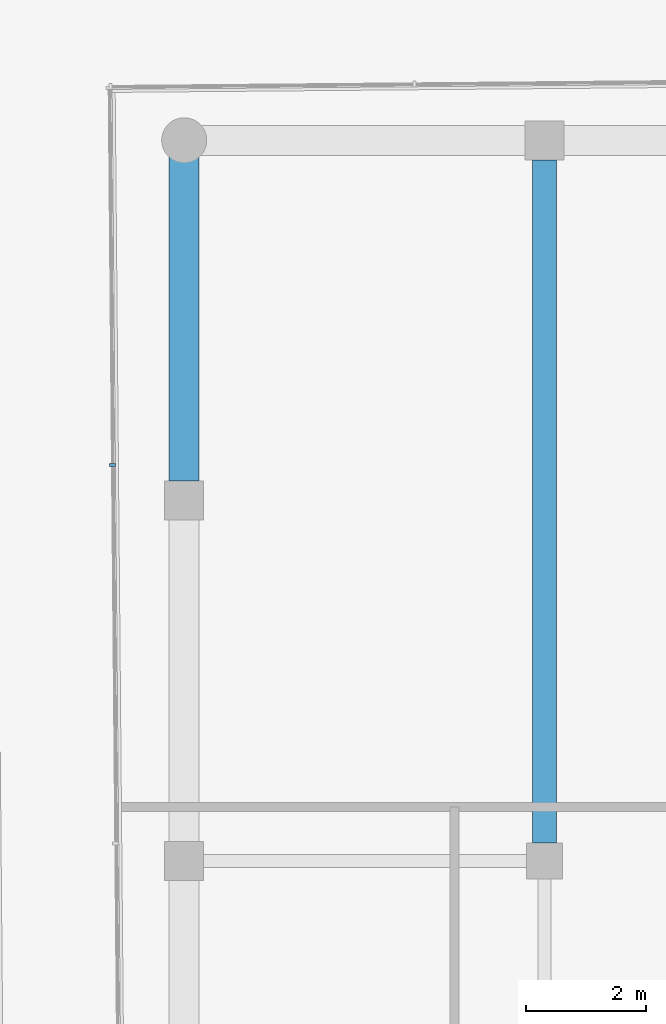
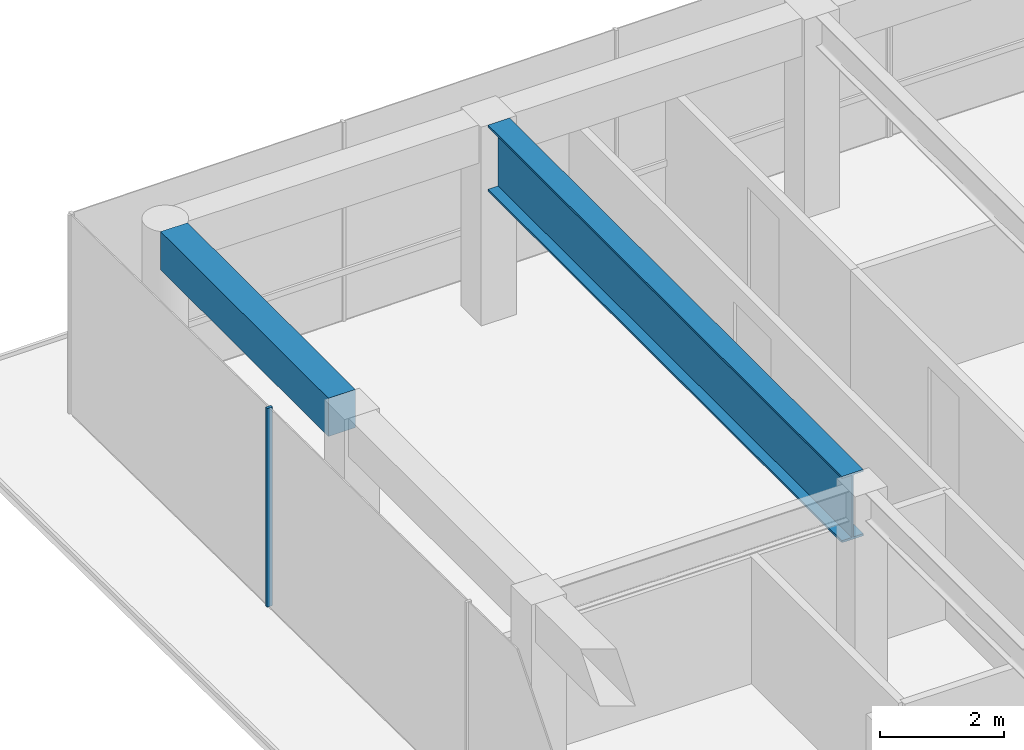
# One storey, part 10 of 21: 2 beams, 1 member, 1 element without a shape of its own.
"""IFC4 building model written with IfcOpenShell, lengths in metres."""

from ifc_helpers import new_model, si_unit, direction, frame, origin, origin_2d, place, context, subcontext, project, spatial, rectangle, i_section, extrude, material, layer, layer_set, material_profile, profile_set, type_object, element, aggregate, save


model = new_model("IFC4")

# Units and contexts
model_context = context("Model", 3, precision=1e-05, world=origin(), true_north=direction((0.0, 1.0)))
body_context = subcontext(model_context, "Body", "Model", "MODEL_VIEW")
ifc_project = project(units=[si_unit("LENGTHUNIT", "METRE"), si_unit("AREAUNIT", "SQUARE_METRE"), si_unit("VOLUMEUNIT", "CUBIC_METRE"), si_unit("PLANEANGLEUNIT", "RADIAN"), si_unit("MASSUNIT", "GRAM", prefix="KILO")], contexts=[model_context])

# Site, building, storey
site_placement = place(None, origin())
site = spatial("IfcSite", under=ifc_project, at=site_placement, CompositionType="ELEMENT")
building_placement = place(site_placement, origin())
building = spatial("IfcBuilding", under=site, at=building_placement, Name="Welwitschia Terrace Campus", CompositionType="ELEMENT")
storey_placement = place(building_placement, frame((0.0, 0.0, 331.39990234375)))
storey = spatial("IfcBuildingStorey", under=building, at=storey_placement, Name="L74", CompositionType="ELEMENT", Elevation=331.39990234375)

# Curtain wall, member
ifc_material_1 = material(Name="Bronze anodised aluminium", Category="aluminium")
ifc_layer = layer(ifc_material_1, 0.10009765625)
ifc_layer_set = layer_set([ifc_layer], Name="Bronze anodised aluminium")
curtain_wall_type = type_object("IfcCurtainWallType", Name="Curtain wall CW5 crown 6000", PredefinedType="NOTDEFINED", material=ifc_layer_set)
curtain_wall_placement = place(storey_placement, origin())
curtain_wall = element("IfcCurtainWall", 1, at=curtain_wall_placement, inside=storey, type_object=curtain_wall_type, Name="CW L74.0.0", PredefinedType="NOTDEFINED")
ifc_material_2 = material(Name="Bronze anodised aluminium", Category="aluminium")
ifc_material_profile_1 = material_profile(ifc_material_2, rectangle(XDim=0.10009765625, YDim=0.050048828125, at=origin_2d()))
ifc_profile_set_1 = profile_set([ifc_material_profile_1], Name="Bronze anodised aluminium")
member_type = type_object("IfcMemberType", Name="Mullion 50x100", PredefinedType="MULLION", material=ifc_profile_set_1)
member_placement = place(storey_placement, frame((-1.195068359375, 38.593017578125, 0.0), z_axis=(0.0, 0.0, 1.0), x_axis=(0.999961923064, 0.008726535498, 0.0)))
member = element("IfcMember", 2, at=member_placement, type_object=member_type, Name="Mullion L74.0.0.1", PredefinedType="MULLION", context=body_context, shape_type="SweptSolid", body=[
    extrude(rectangle(XDim=0.10009765625, YDim=0.050048828125, at=origin_2d()), origin(), (0.0, 0.0, 1.0), 3.900146484375),
])
aggregate(curtain_wall, [member])

# Beams
ifc_material_3 = material(Name="Concrete C40/50", Category="concrete")
ifc_material_profile_2 = material_profile(ifc_material_3, rectangle(XDim=0.5, YDim=0.75, at=origin_2d()))
ifc_profile_set_2 = profile_set([ifc_material_profile_2], Name="Concrete C40/50")
beam_type_1 = type_object("IfcBeamType", Name="Ring spandrel 500x750", PredefinedType="SPANDREL", material=ifc_profile_set_2)
beam_1_placement = place(storey_placement, frame((0.0, 43.719482421875, 3.525146484375), z_axis=(0.0, -1.0, 0.0), x_axis=(1.0, 0.0, 0.0)))
element("IfcBeam", 3, at=beam_1_placement, inside=storey, type_object=beam_type_1, Name="Spandrel SP5", PredefinedType="SPANDREL", context=body_context, shape_type="SweptSolid", body=[
    extrude(rectangle(XDim=0.5, YDim=0.75, at=origin_2d()), origin(), (0.0, 0.0, 1.0), 5.39404296875),
])
ifc_material_4 = material(Name="Steel S355", Category="steel")
ifc_material_profile_3 = material_profile(ifc_material_4, i_section(OverallWidth=0.39990234375, OverallDepth=1.300048828125, WebThickness=0.02490234375, FlangeThickness=0.0400390625, at=origin_2d()))
ifc_profile_set_3 = profile_set([ifc_material_profile_3], Name="Steel S355")
beam_type_2 = type_object("IfcBeamType", Name="Transfer girder WI 1300x400x25x40", PredefinedType="BEAM", material=ifc_profile_set_3)
beam_2_placement = place(storey_placement, frame((6.0, 32.300537109375, 3.25), z_axis=(0.0, 1.0, 0.0), x_axis=(-1.0, 0.0, 0.0)))
element("IfcBeam", 4, at=beam_2_placement, inside=storey, type_object=beam_type_2, Name="Transfer girder TG1", PredefinedType="BEAM", context=body_context, shape_type="SweptSolid", body=[
    extrude(i_section(OverallWidth=0.39990234375, OverallDepth=1.300048828125, WebThickness=0.02490234375, FlangeThickness=0.0400390625, at=origin_2d()), origin(), (0.0, 0.0, 1.0), 11.3740234375),
])

save(model, "model.ifc")
